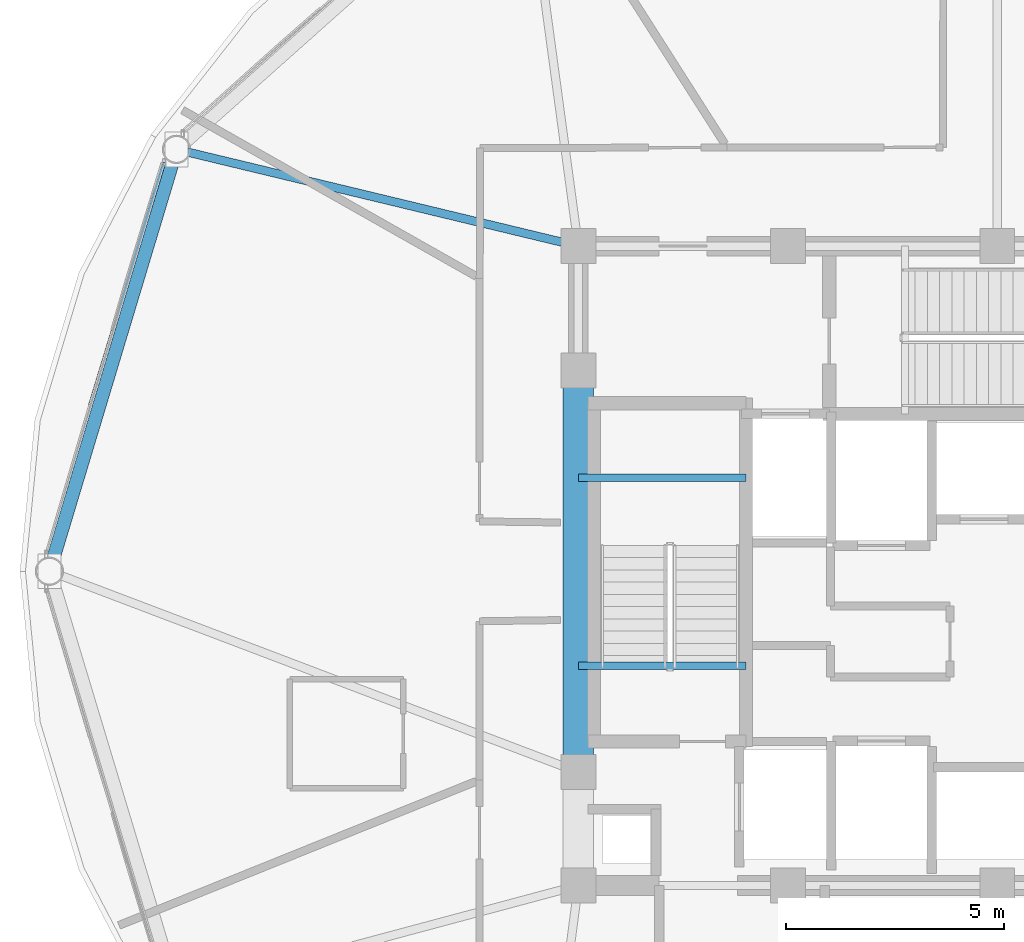
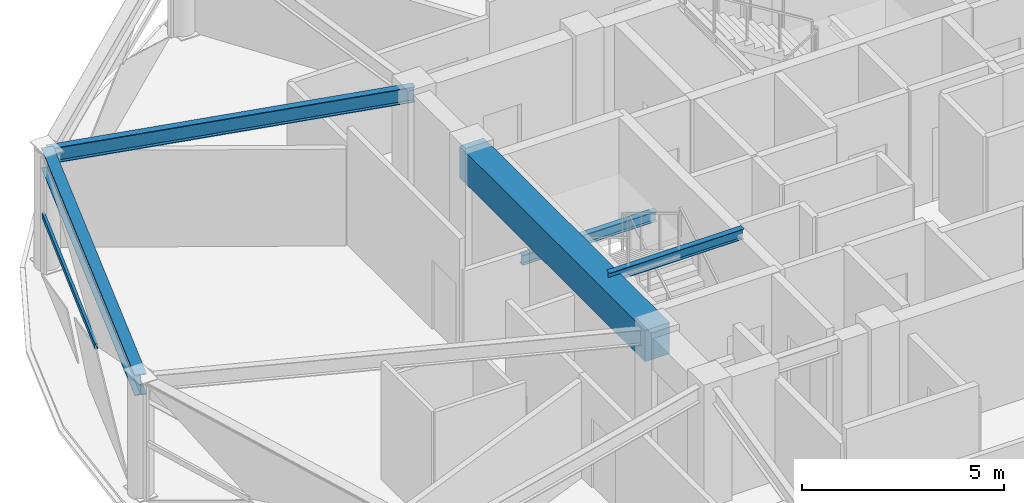
# One storey, part 8 of 28: 5 beams, 1 member, 1 element without a shape of its own.
"""IFC4 building model written with IfcOpenShell, lengths in metres."""

from ifc_helpers import new_model, si_unit, direction, frame, origin, origin_2d, place, context, subcontext, project, spatial, rectangle, hollow_rectangle, i_section, extrude, material, layer, layer_set, material_profile, profile_set, type_object, element, aggregate, save


model = new_model("IFC4")

# Units and contexts
model_context = context("Model", 3, precision=1e-05, world=origin(), true_north=direction((0.0, 1.0)))
body_context = subcontext(model_context, "Body", "Model", "MODEL_VIEW")
ifc_project = project(units=[si_unit("LENGTHUNIT", "METRE"), si_unit("AREAUNIT", "SQUARE_METRE"), si_unit("VOLUMEUNIT", "CUBIC_METRE"), si_unit("PLANEANGLEUNIT", "RADIAN"), si_unit("MASSUNIT", "GRAM", prefix="KILO")], contexts=[model_context])

# Site, building, storey
site_placement = place(None, origin())
site = spatial("IfcSite", under=ifc_project, at=site_placement, CompositionType="ELEMENT")
building_placement = place(site_placement, origin())
building = spatial("IfcBuilding", under=site, at=building_placement, Name="Vantalir Tower", CompositionType="ELEMENT")
storey_placement = place(building_placement, frame((0.0, 0.0, 246.14990234375)))
storey = spatial("IfcBuildingStorey", under=building, at=storey_placement, Name="L62", CompositionType="ELEMENT", Elevation=246.14990234375)

# Beams
ifc_material_1 = material(Name="Concrete C60/75", Category="concrete")
ifc_material_profile_1 = material_profile(ifc_material_1, rectangle(XDim=0.699951171875, YDim=0.949951171875, at=origin_2d()), Name="Concrete C60/75")
ifc_profile_set_1 = profile_set([ifc_material_profile_1], Name="Concrete C60/75")
beam_type_1 = type_object("IfcBeamType", Name="BM-CB-700x950", PredefinedType="USERDEFINED", material=ifc_profile_set_1)
beam_1_placement = place(storey_placement, frame((21.89990234375, 29.60009765625, 3.09521484375), z_axis=(0.0, -1.0, 0.0), x_axis=(1.0, 0.0, 0.0)))
element("IfcBeam", 1, at=beam_1_placement, inside=storey, type_object=beam_type_1, Name="L62 Core Coupling Girder 13", ObjectType="GIRDER", PredefinedType="USERDEFINED", context=body_context, shape_type="SweptSolid", body=[
    extrude(rectangle(XDim=0.699951171875, YDim=0.949951171875, at=origin_2d()), origin(), (0.0, 0.0, 1.0), 9.2001953125),
])
ifc_material_2 = material(Name="Steel S355", Category="steel")
ifc_material_profile_2 = material_profile(ifc_material_2, i_section(OverallWidth=0.166015625, OverallDepth=0.306884765625, WebThickness=0.006591796875, FlangeThickness=0.01171875, at=origin_2d()), Name="Steel S355")
ifc_profile_set_2 = profile_set([ifc_material_profile_2], Name="Steel S355")
beam_type_2 = type_object("IfcBeamType", Name="BM-JS-305x165", PredefinedType="JOIST", material=ifc_profile_set_2)
for number, where, z_axis, x_axis, name in (
    (2, (21.89990234375, 22.8349609375, 3.59619140625), (1.0, 0.0, 0.0), (0.0, 1.0, 0.0), "L63 Stair ST1 Well Nosing Trimmer Beam"),
    (3, (21.89990234375, 27.14501953125, 1.52099609375), (1.0, 0.0, 0.0), (0.0, 1.0, 0.0), "L62 Stair ST1 Half-Landing Support Beam"),
):
    element("IfcBeam", number, at=place(storey_placement, frame(where, z_axis=z_axis, x_axis=x_axis)), inside=storey, type_object=beam_type_2, Name=name, PredefinedType="JOIST", context=body_context, shape_type="SweptSolid", body=[
        extrude(i_section(OverallWidth=0.166015625, OverallDepth=0.306884765625, WebThickness=0.006591796875, FlangeThickness=0.01171875, at=origin_2d()), origin(), (0.0, 0.0, 1.0), 3.840087890625),
    ])
ifc_material_profile_3 = material_profile(ifc_material_2, i_section(OverallWidth=0.19189453125, OverallDepth=0.462890625, WebThickness=0.010498046875, FlangeThickness=0.017578125, at=origin_2d()), Name="Steel S355")
ifc_profile_set_3 = profile_set([ifc_material_profile_3], Name="Steel S355")
beam_type_3 = type_object("IfcBeamType", Name="BM-RB-457x191", PredefinedType="BEAM", material=ifc_profile_set_3)
beam_2_placement = place(storey_placement, frame((12.69189453125, 34.666015625, 3.338134765625), z_axis=(0.972239928785, -0.233986155308, 0.0), x_axis=(0.233986155308, 0.972239928785, 0.0)))
element("IfcBeam", 4, at=beam_2_placement, inside=storey, type_object=beam_type_3, Name="L62 Radial Floor Beam 06", PredefinedType="BEAM", context=body_context, shape_type="SweptSolid", body=[
    extrude(i_section(OverallWidth=0.19189453125, OverallDepth=0.462890625, WebThickness=0.010498046875, FlangeThickness=0.017578125, at=origin_2d()), origin(), (0.0, 0.0, 1.0), 9.470947265625),
])
ifc_material_3 = material(Name="Steel S460", Category="steel")
ifc_material_profile_4 = material_profile(ifc_material_3, i_section(OverallWidth=0.306884765625, OverallDepth=0.6201171875, WebThickness=0.01416015625, FlangeThickness=0.023681640625, at=origin_2d()), Name="Steel S460")
ifc_profile_set_4 = profile_set([ifc_material_profile_4], Name="Steel S460")
beam_type_4 = type_object("IfcBeamType", Name="BM-RG-610x305", PredefinedType="USERDEFINED", material=ifc_profile_set_4)
beam_3_placement = place(storey_placement, frame((12.69189453125, 34.666015625, 3.260009765625), z_axis=(-0.288266356679, -0.95755026375, 0.0), x_axis=(0.95755026375, -0.288266356679, 0.0)))
element("IfcBeam", 5, at=beam_3_placement, inside=storey, type_object=beam_type_4, Name="L62 Circumferential Ring Girder 06", ObjectType="GIRDER", PredefinedType="USERDEFINED", context=body_context, shape_type="SweptSolid", body=[
    extrude(i_section(OverallWidth=0.306884765625, OverallDepth=0.6201171875, WebThickness=0.01416015625, FlangeThickness=0.023681640625, at=origin_2d()), origin(), (0.0, 0.0, 1.0), 10.094482421875),
])

# Curtain wall, member
ifc_material_4 = material(Name="Champagne-silver PVDF aluminium and double-silver Low-E glass", Category="aluminium")
ifc_layer = layer(ifc_material_4, 0.2099609375)
ifc_layer_set = layer_set([ifc_layer], Name="Champagne-silver PVDF aluminium and double-silver Low-E glass")
curtain_wall_type = type_object("IfcCurtainWallType", Name="CW-DIAMOND-Z3", PredefinedType="USERDEFINED", material=ifc_layer_set)
curtain_wall_placement = place(storey_placement, origin())
curtain_wall = element("IfcCurtainWall", 6, at=curtain_wall_placement, inside=storey, type_object=curtain_wall_type, Name="L62 Quilted Pyramid-Diamond Curtain Wall S06", ObjectType="UNITISED CURTAIN WALL", PredefinedType="USERDEFINED")
ifc_material_5 = material(Name="Champagne-silver PVDF aluminium 6063-T6", Category="aluminium")
ifc_material_profile_5 = material_profile(ifc_material_5, hollow_rectangle(XDim=0.074951171875, YDim=0.159912109375, WallThickness=0.00390625, at=origin_2d()), Name="Champagne-silver PVDF aluminium 6063-T6")
ifc_profile_set_5 = profile_set([ifc_material_profile_5], Name="Champagne-silver PVDF aluminium 6063-T6")
member_type = type_object("IfcMemberType", Name="CWT-160x75", PredefinedType="USERDEFINED", material=ifc_profile_set_5)
member_placement = place(storey_placement, frame((12.408935546875, 34.367919921875, 1.78515625), z_axis=(-0.291933630307, -0.95643857905, 0.0), x_axis=(0.95643857905, -0.291933630307, 0.0)))
member = element("IfcMember", 7, at=member_placement, type_object=member_type, Name="CW-L62-S06 Pyramid Fold Ridge Transom", ObjectType="TRANSOM", PredefinedType="USERDEFINED", context=body_context, shape_type="SweptSolid", body=[
    extrude(hollow_rectangle(XDim=0.074951171875, YDim=0.159912109375, WallThickness=0.00390625, at=origin_2d()), origin(), (0.0, 0.0, 1.0), 5.81298828125),
])
aggregate(curtain_wall, [member])

save(model, "model.ifc")
